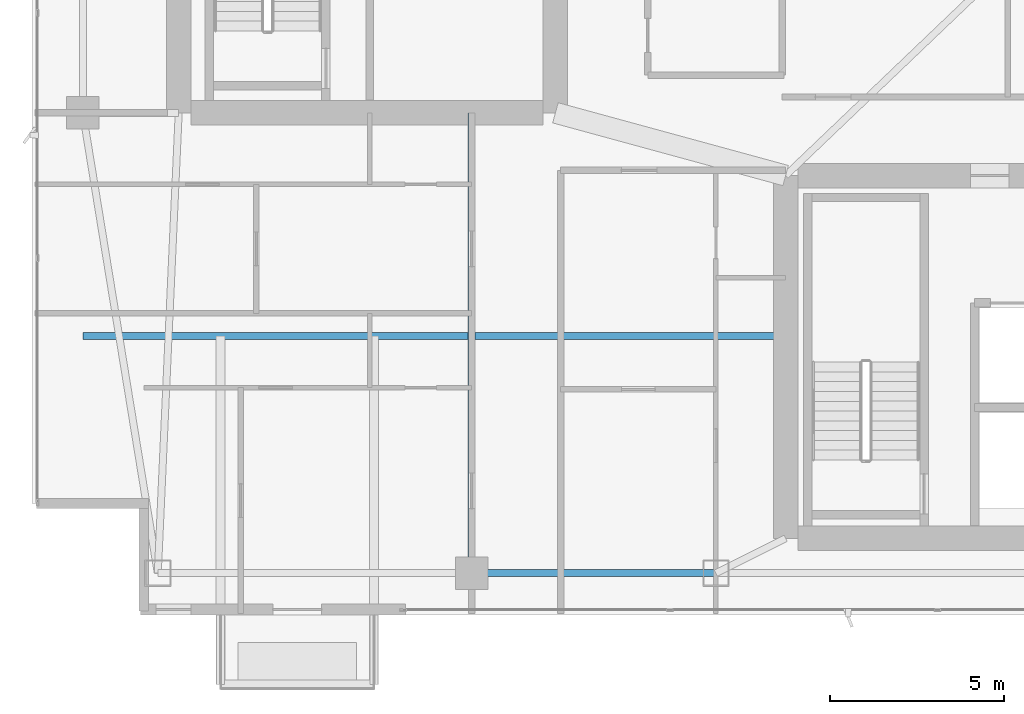
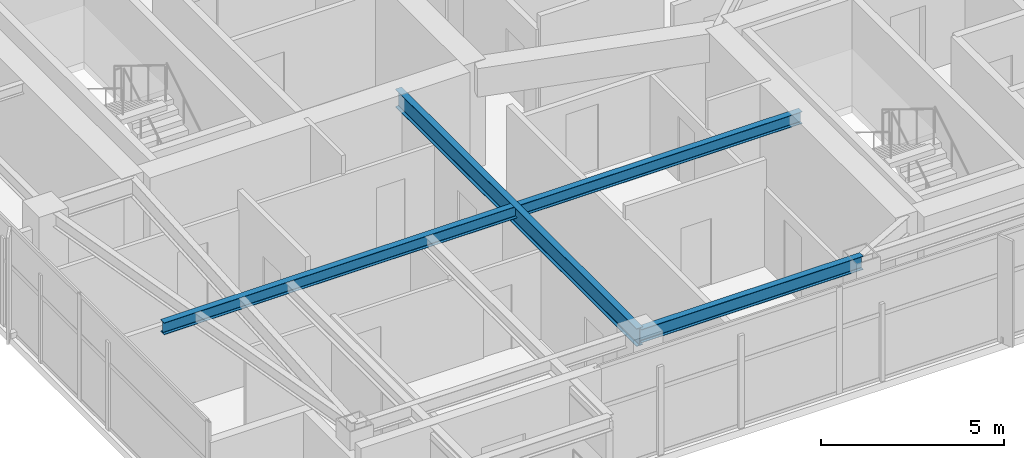
# One storey, part 5 of 30: 3 beams.
"""IFC4 building model written with IfcOpenShell, lengths in metres."""

from ifc_helpers import new_model, si_unit, direction, frame, origin, origin_2d, place, context, subcontext, project, spatial, i_section, extrude, material, material_profile, profile_set, type_object, element, save


model = new_model("IFC4")

# Units and contexts
model_context = context("Model", 3, precision=1e-05, world=origin(), true_north=direction((0.0, 1.0)))
body_context = subcontext(model_context, "Body", "Model", "MODEL_VIEW")
ifc_project = project(units=[si_unit("LENGTHUNIT", "METRE"), si_unit("AREAUNIT", "SQUARE_METRE"), si_unit("VOLUMEUNIT", "CUBIC_METRE"), si_unit("PLANEANGLEUNIT", "RADIAN"), si_unit("MASSUNIT", "GRAM", prefix="KILO")], contexts=[model_context])

# Site, building, storey
site_placement = place(None, origin())
site = spatial("IfcSite", under=ifc_project, at=site_placement, CompositionType="ELEMENT")
building_placement = place(site_placement, origin())
building = spatial("IfcBuilding", under=site, at=building_placement, Name="Calvorn Quay Hotel", CompositionType="ELEMENT")
storey_placement = place(building_placement, frame((0.0, 0.0, 207.199951171875)))
storey = spatial("IfcBuildingStorey", under=building, at=storey_placement, Name="L51", CompositionType="ELEMENT", Elevation=207.199951171875)

# Beams
ifc_material_1 = material(Name="Steel Q355B", Category="steel")
ifc_material_profile_1 = material_profile(ifc_material_1, i_section(OverallWidth=0.199951171875, OverallDepth=0.60009765625, WebThickness=0.010986328125, FlangeThickness=0.01708984375, FilletRadius=0.01806640625, at=origin_2d()), Name="HN600x200x11x17")
ifc_profile_set_1 = profile_set([ifc_material_profile_1], Name="Steel Q355B")
beam_type_1 = type_object("IfcBeamType", Name="BM-GIRD-TYP", PredefinedType="BEAM", material=ifc_profile_set_1)
beam_1_placement = place(storey_placement, frame((12.60009765625, 3.60009765625, 3.239990234375), z_axis=(0.0, 1.0, 0.0), x_axis=(-1.0, 0.0, 0.0)))
element("IfcBeam", 1, at=beam_1_placement, inside=storey, type_object=beam_type_1, Name="Beam BG-L51-S1", PredefinedType="BEAM", context=body_context, shape_type="SweptSolid", body=[
    extrude(i_section(OverallWidth=0.199951171875, OverallDepth=0.60009765625, WebThickness=0.010986328125, FlangeThickness=0.01708984375, FilletRadius=0.01806640625, at=origin_2d()), origin(), (0.0, 0.0, 1.0), 13.199951171875),
])
ifc_material_2 = material(Name="Steel Q355B", Category="steel")
ifc_material_profile_2 = material_profile(ifc_material_2, i_section(OverallWidth=0.199951171875, OverallDepth=0.39990234375, WebThickness=0.008056640625, FlangeThickness=0.012939453125, FilletRadius=0.01611328125, at=origin_2d()), Name="HN400x200x8x13")
ifc_profile_set_2 = profile_set([ifc_material_profile_2], Name="Steel Q355B")
beam_type_2 = type_object("IfcBeamType", Name="BM-JOIST-TYP", PredefinedType="JOIST", material=ifc_profile_set_2)
beam_2_placement = place(storey_placement, frame((1.449951171875, 10.39990234375, 3.340087890625), z_axis=(1.0, 0.0, 0.0), x_axis=(0.0, 1.0, 0.0)))
element("IfcBeam", 2, at=beam_2_placement, inside=storey, type_object=beam_type_2, Name="Beam BJ-L51-W1", PredefinedType="JOIST", context=body_context, shape_type="SweptSolid", body=[
    extrude(i_section(OverallWidth=0.199951171875, OverallDepth=0.39990234375, WebThickness=0.008056640625, FlangeThickness=0.012939453125, FilletRadius=0.01611328125, at=origin_2d()), origin(), (0.0, 0.0, 1.0), 20.150146484375),
])
ifc_material_3 = material(Name="Steel Q355B", Category="steel")
ifc_material_profile_3 = material_profile(ifc_material_3, i_section(OverallWidth=0.199951171875, OverallDepth=0.449951171875, WebThickness=0.009033203125, FlangeThickness=0.013916015625, FilletRadius=0.01611328125, at=origin_2d()), Name="HN450x200x9x14")
ifc_profile_set_3 = profile_set([ifc_material_profile_3], Name="Steel Q355B")
beam_type_3 = type_object("IfcBeamType", Name="BM-SPANDREL-Z3", PredefinedType="SPANDREL", material=ifc_profile_set_3)
beam_3_placement = place(storey_placement, frame((12.60009765625, 3.60009765625, 3.31494140625), z_axis=(1.0, 0.0, 0.0), x_axis=(0.0, 1.0, 0.0)))
element("IfcBeam", 3, at=beam_3_placement, inside=storey, type_object=beam_type_3, Name="Beam BSP-L51-S2", PredefinedType="SPANDREL", context=body_context, shape_type="SweptSolid", body=[
    extrude(i_section(OverallWidth=0.199951171875, OverallDepth=0.449951171875, WebThickness=0.009033203125, FlangeThickness=0.013916015625, FilletRadius=0.01611328125, at=origin_2d()), origin(), (0.0, 0.0, 1.0), 7.0),
])

save(model, "model.ifc")
